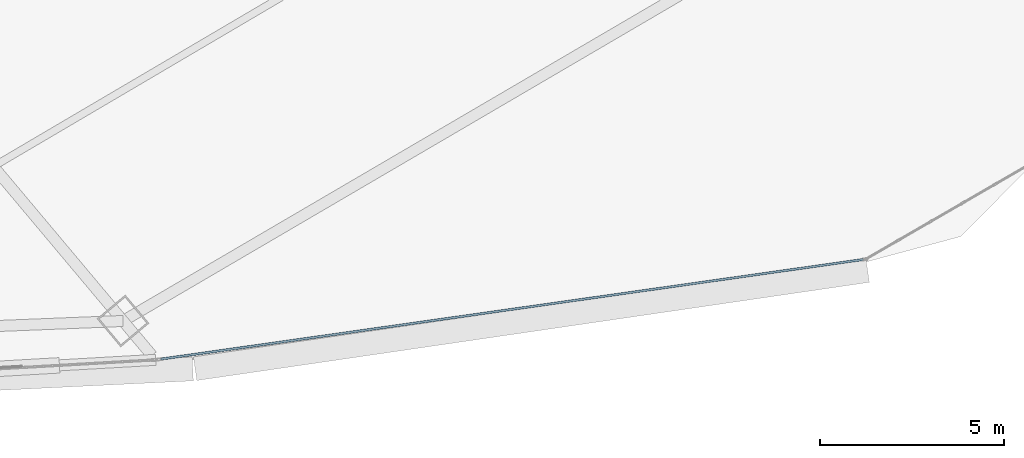
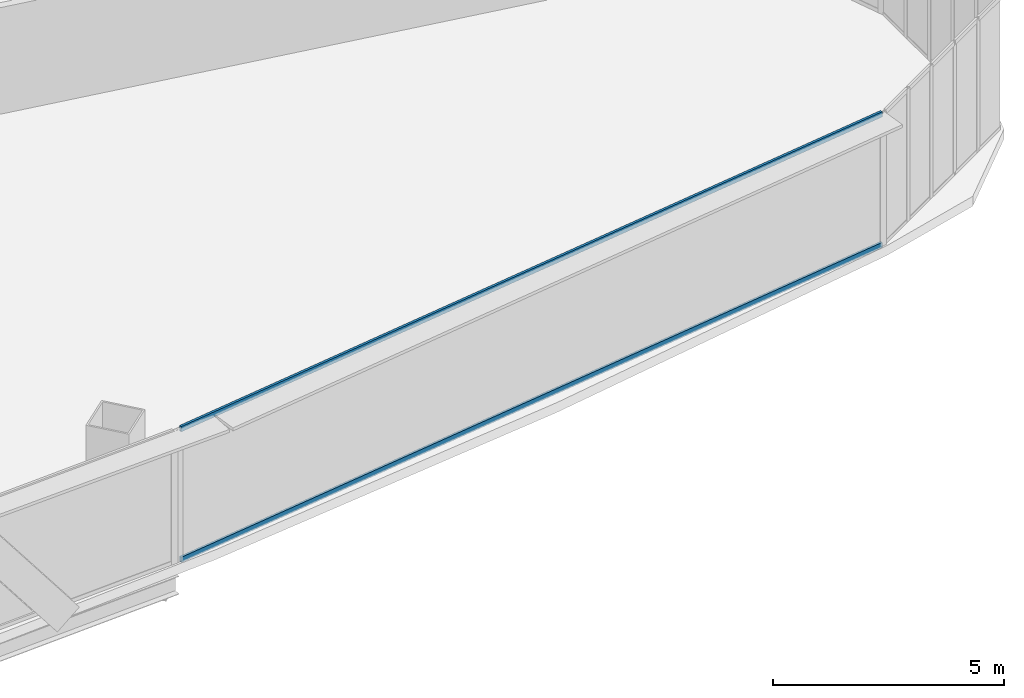
# One storey, part 21 of 41: 2 members, 1 element without a shape of its own.
"""IFC4 building model written with IfcOpenShell, lengths in metres."""

from ifc_helpers import new_model, si_unit, direction, frame, origin, origin_2d, place, context, subcontext, project, spatial, hollow_rectangle, extrude, source, transform, mapped, material, layer, layer_set, material_profile, profile_set, type_object, element, aggregate, save


model = new_model("IFC4")

# Units and contexts
model_context = context("Model", 3, precision=1e-05, world=origin(), true_north=direction((0.0, 1.0)))
body_context = subcontext(model_context, "Body", "Model", "MODEL_VIEW")
ifc_project = project(units=[si_unit("LENGTHUNIT", "METRE"), si_unit("AREAUNIT", "SQUARE_METRE"), si_unit("VOLUMEUNIT", "CUBIC_METRE"), si_unit("PLANEANGLEUNIT", "RADIAN"), si_unit("MASSUNIT", "GRAM", prefix="KILO"), si_unit("THERMODYNAMICTEMPERATUREUNIT", "KELVIN"), si_unit("POWERUNIT", "WATT")], contexts=[model_context])

# Site, building, storey
site_placement = place(None, origin())
site = spatial("IfcSite", under=ifc_project, at=site_placement, CompositionType="ELEMENT")
building_placement = place(site_placement, origin())
building = spatial("IfcBuilding", under=site, at=building_placement, Name="Yunzhuo Pagoda Commons", CompositionType="ELEMENT")
storey_placement = place(building_placement, frame((0.0, 0.0, 115.3798828125)))
storey = spatial("IfcBuildingStorey", under=building, at=storey_placement, Name="L29", CompositionType="ELEMENT", Elevation=115.3798828125)

# Curtain wall, members
ifc_material = material(Name="Anodized aluminium 6063-T6", Category="aluminium")
ifc_layer = layer(ifc_material, 0.1650390625)
ifc_layer_set = layer_set([ifc_layer], Name="Anodized aluminium 6063-T6")
curtain_wall_type = type_object("IfcCurtainWallType", Name="CW-LOW Low-Zone Ribbon Curtain Wall", PredefinedType="NOTDEFINED", material=ifc_layer_set)
curtain_wall_placement = place(storey_placement, origin())
curtain_wall = element("IfcCurtainWall", 1, at=curtain_wall_placement, inside=storey, type_object=curtain_wall_type, Name="L29 curtain wall CW-L29-F1B5", PredefinedType="NOTDEFINED")
ifc_material_profile = material_profile(ifc_material, hollow_rectangle(XDim=0.06005859375, YDim=0.139892578125, WallThickness=0.00341796875, at=origin_2d()), Name="Anodized aluminium 6063-T6")
ifc_profile_set = profile_set([ifc_material_profile], Name="Anodized aluminium 6063-T6")
member_type = type_object("IfcMemberType", Name="CW-LOW-T Transom RHS 140x60x3.5", PredefinedType="USERDEFINED", material=ifc_profile_set)
shared_shape = source(origin(), body_context, "Body", "SweptSolid", [
    extrude(hollow_rectangle(XDim=0.06005859375, YDim=0.139892578125, WallThickness=0.00341796875, at=origin_2d()), origin(), (0.0, 0.0, 1.0), 19.310546875),
])
member_1_placement = place(storey_placement, frame((65.46240234375, 13.073974609375, 0.030029296875), z_axis=(0.990093108947, 0.140412377004, 0.0), x_axis=(-0.140412377004, 0.990093108947, 0.0)))
member_1 = element("IfcMember", 2, at=member_1_placement, type_object=member_type, Name="CW transom 1.1", ObjectType="TRANSOM", PredefinedType="USERDEFINED", context=body_context, shape_type="MappedRepresentation", body=[
    mapped(shared_shape, transform((0.0, 0.0, 0.0), scale=1.0)),
])
member_2_placement = place(storey_placement, frame((65.46240234375, 13.073974609375, 3.490234375), z_axis=(0.990093108947, 0.140412377004, 0.0), x_axis=(-0.140412377004, 0.990093108947, 0.0)))
member_2 = element("IfcMember", 3, at=member_2_placement, type_object=member_type, Name="CW transom 1.2", ObjectType="TRANSOM", PredefinedType="USERDEFINED", context=body_context, shape_type="MappedRepresentation", body=[
    mapped(shared_shape, transform((0.0, 0.0, 0.0), scale=1.0)),
])
aggregate(curtain_wall, [member_1, member_2])

save(model, "model.ifc")
